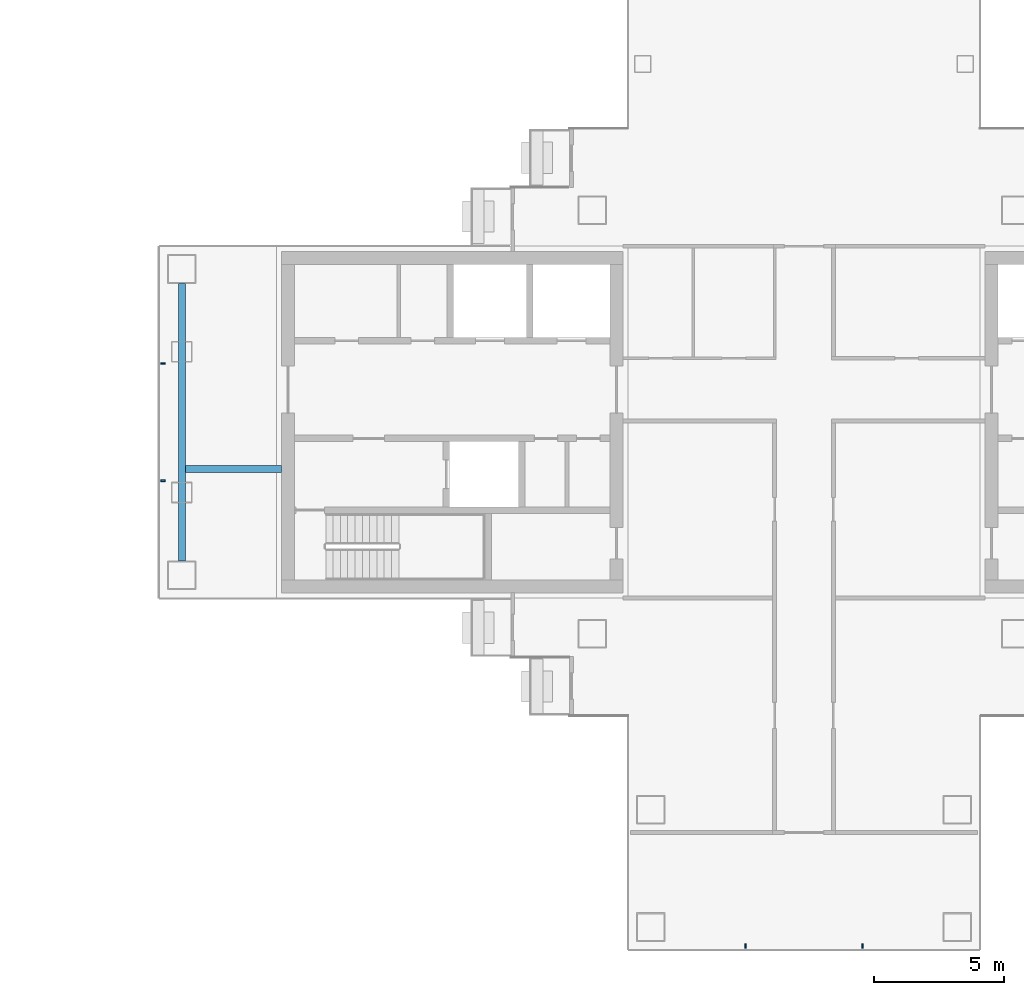
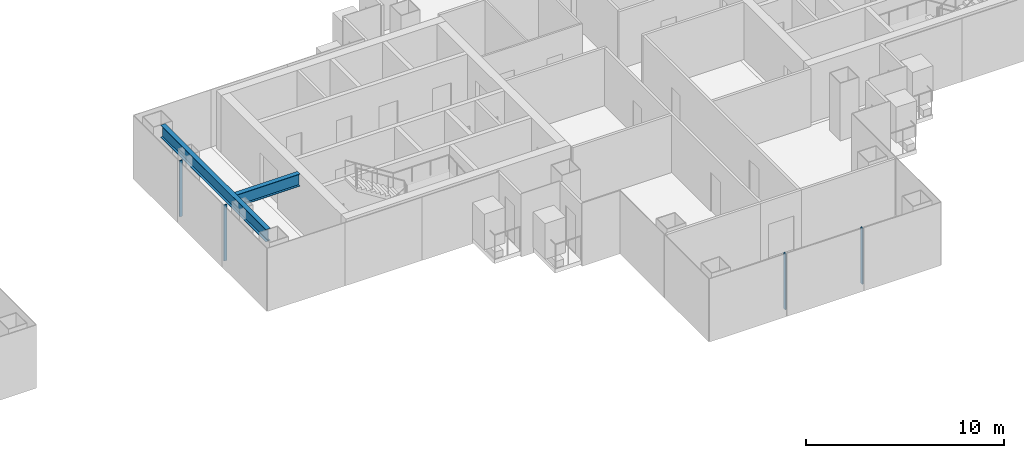
# One storey, part 5 of 17: 4 members, 2 beams, 2 elements without a shape of their own.
"""IFC4 building model written with IfcOpenShell, lengths in metres."""

from ifc_helpers import new_model, si_unit, direction, frame, origin, origin_2d, place, context, subcontext, project, spatial, rectangle, i_section, extrude, material, layer, layer_set, material_profile, profile_set, type_object, element, aggregate, save


model = new_model("IFC4")

# Units and contexts
model_context = context("Model", 3, precision=1e-05, world=origin(), true_north=direction((0.0, 1.0)))
body_context = subcontext(model_context, "Body", "Model", "MODEL_VIEW")
ifc_project = project(units=[si_unit("LENGTHUNIT", "METRE"), si_unit("AREAUNIT", "SQUARE_METRE"), si_unit("VOLUMEUNIT", "CUBIC_METRE"), si_unit("PLANEANGLEUNIT", "RADIAN"), si_unit("MASSUNIT", "GRAM", prefix="KILO")], contexts=[model_context])

# Site, building, storey
site_placement = place(None, origin())
site = spatial("IfcSite", under=ifc_project, at=site_placement, CompositionType="ELEMENT")
building_placement = place(site_placement, origin())
building = spatial("IfcBuilding", under=site, at=building_placement, Name="Shamsa Quay Exchange Towers", CompositionType="ELEMENT")
storey_placement = place(building_placement, frame((0.0, 0.0, 170.10009765625)))
storey = spatial("IfcBuildingStorey", under=building, at=storey_placement, Name="L40", CompositionType="ELEMENT", Elevation=170.10009765625)

# Curtain wall, members
ifc_material_1 = material(Name="Aluminium EN AW-6063 T6, black anodised", Category="aluminium")
ifc_layer = layer(ifc_material_1, 0.280029296875)
ifc_layer_set = layer_set([ifc_layer], Name="CW-1 UNITISED VISION GLASS")
curtain_wall_type = type_object("IfcCurtainWallType", Name="CW-1 UNITISED VISION GLASS", PredefinedType="NOTDEFINED", material=ifc_layer_set)
curtain_wall_1_placement = place(storey_placement, origin())
curtain_wall_1 = element("IfcCurtainWall", 1, at=curtain_wall_1_placement, inside=storey, type_object=curtain_wall_type, Name="CW1 T2-END-V+ L40", PredefinedType="NOTDEFINED")
ifc_material_profile_1 = material_profile(ifc_material_1, rectangle(XDim=0.179931640625, YDim=0.06005859375, at=origin_2d()), Name="MU60x180")
ifc_profile_set_1 = profile_set([ifc_material_profile_1], Name="Aluminium EN AW-6063 T6, black anodised")
member_type = type_object("IfcMemberType", Name="CW1 MULLION 60x180", PredefinedType="MULLION", material=ifc_profile_set_1)
member_1_placement = place(storey_placement, frame((9.14990234375, 2.25, 0.0)))
member_1 = element("IfcMember", 2, at=member_1_placement, type_object=member_type, Name="CW1 mullion", PredefinedType="MULLION", context=body_context, shape_type="SweptSolid", body=[
    extrude(rectangle(XDim=0.179931640625, YDim=0.06005859375, at=origin_2d()), origin(), (0.0, 0.0, 1.0), 3.449951171875),
])
member_2_placement = place(storey_placement, frame((9.14990234375, -2.25, 0.0)))
member_2 = element("IfcMember", 3, at=member_2_placement, type_object=member_type, Name="CW1 mullion", PredefinedType="MULLION", context=body_context, shape_type="SweptSolid", body=[
    extrude(rectangle(XDim=0.179931640625, YDim=0.06005859375, at=origin_2d()), origin(), (0.0, 0.0, 1.0), 3.449951171875),
])
aggregate(curtain_wall_1, [member_1, member_2])

curtain_wall_2_placement = place(storey_placement, origin())
curtain_wall_2 = element("IfcCurtainWall", 4, at=curtain_wall_2_placement, inside=storey, type_object=curtain_wall_type, Name="CW1 T2-END-U- L40", PredefinedType="NOTDEFINED")
member_3_placement = place(storey_placement, frame((31.5, -20.10009765625, 0.0), z_axis=(0.0, 0.0, 1.0), x_axis=(0.0, 1.0, 0.0)))
member_3 = element("IfcMember", 5, at=member_3_placement, type_object=member_type, Name="CW1 mullion", PredefinedType="MULLION", context=body_context, shape_type="SweptSolid", body=[
    extrude(rectangle(XDim=0.179931640625, YDim=0.06005859375, at=origin_2d()), origin(), (0.0, 0.0, 1.0), 3.449951171875),
])
member_4_placement = place(storey_placement, frame((36.0, -20.10009765625, 0.0), z_axis=(0.0, 0.0, 1.0), x_axis=(0.0, 1.0, 0.0)))
member_4 = element("IfcMember", 6, at=member_4_placement, type_object=member_type, Name="CW1 mullion", PredefinedType="MULLION", context=body_context, shape_type="SweptSolid", body=[
    extrude(rectangle(XDim=0.179931640625, YDim=0.06005859375, at=origin_2d()), origin(), (0.0, 0.0, 1.0), 3.449951171875),
])
aggregate(curtain_wall_2, [member_3, member_4])

# Beams
ifc_material_2 = material(Name="Steel S355", Category="steel")
ifc_material_profile_2 = material_profile(ifc_material_2, i_section(OverallWidth=0.26611328125, OverallDepth=0.7578125, WebThickness=0.013916015625, FlangeThickness=0.019287109375, at=origin_2d()), Name="W30x108")
ifc_profile_set_2 = profile_set([ifc_material_profile_2], Name="Steel S355")
beam_type = type_object("IfcBeamType", Name="End-zone beam W30x108", PredefinedType="BEAM", material=ifc_profile_set_2)
beam_1_placement = place(storey_placement, frame((9.875, -5.324951171875, 3.171142578125), z_axis=(0.0, 1.0, 0.0), x_axis=(-1.0, 0.0, 0.0)))
element("IfcBeam", 7, at=beam_1_placement, inside=storey, type_object=beam_type, Name="End beam T2 V+ end zone L40", PredefinedType="BEAM", context=body_context, shape_type="SweptSolid", body=[
    extrude(i_section(OverallWidth=0.26611328125, OverallDepth=0.7578125, WebThickness=0.013916015625, FlangeThickness=0.019287109375, at=origin_2d()), origin(), (0.0, 0.0, 1.0), 10.64990234375),
])
beam_2_placement = place(storey_placement, frame((13.699951171875, -1.800048828125, 3.171142578125), z_axis=(-1.0, 0.0, 0.0), x_axis=(0.0, -1.0, 0.0)))
element("IfcBeam", 8, at=beam_2_placement, inside=storey, type_object=beam_type, Name="Spine beam T2 V+ end zone L40", PredefinedType="BEAM", context=body_context, shape_type="SweptSolid", body=[
    extrude(i_section(OverallWidth=0.26611328125, OverallDepth=0.7578125, WebThickness=0.013916015625, FlangeThickness=0.019287109375, at=origin_2d()), origin(), (0.0, 0.0, 1.0), 3.69189453125),
])

save(model, "model.ifc")
